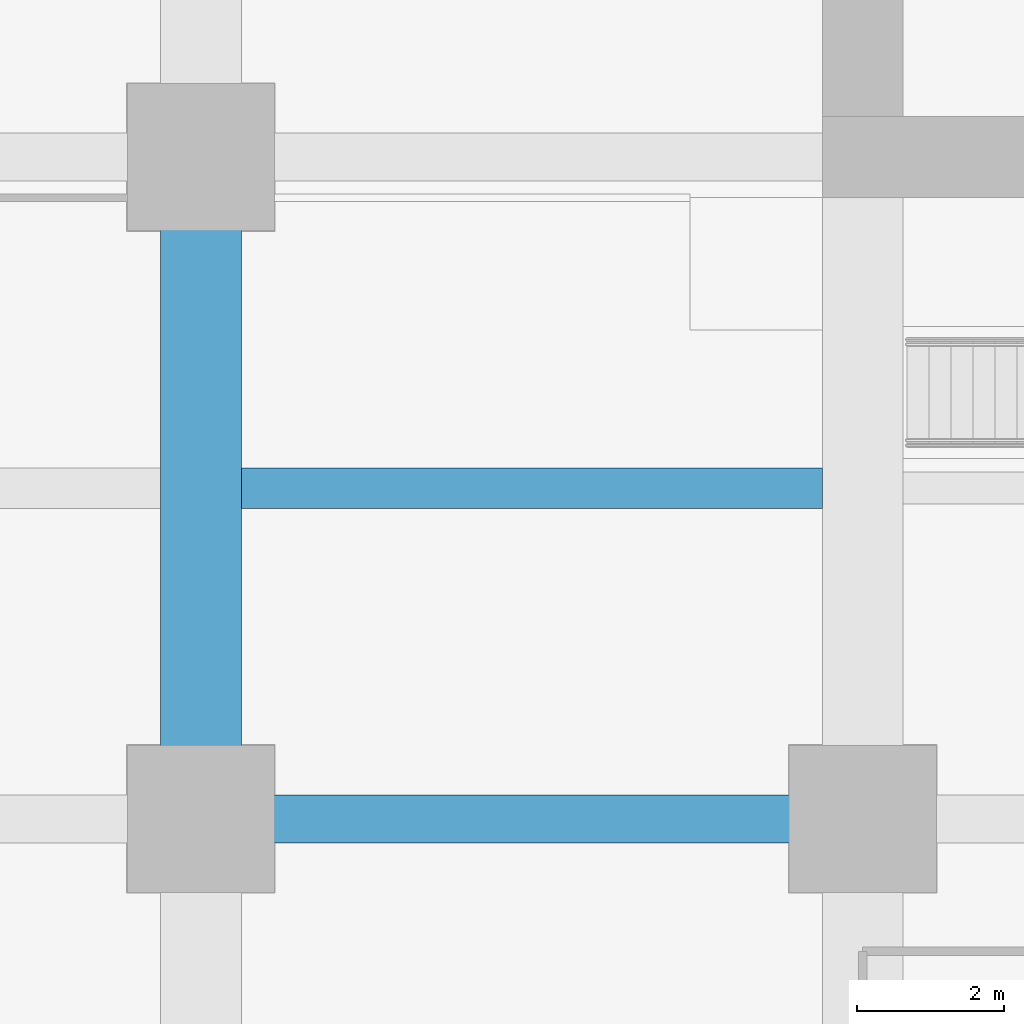
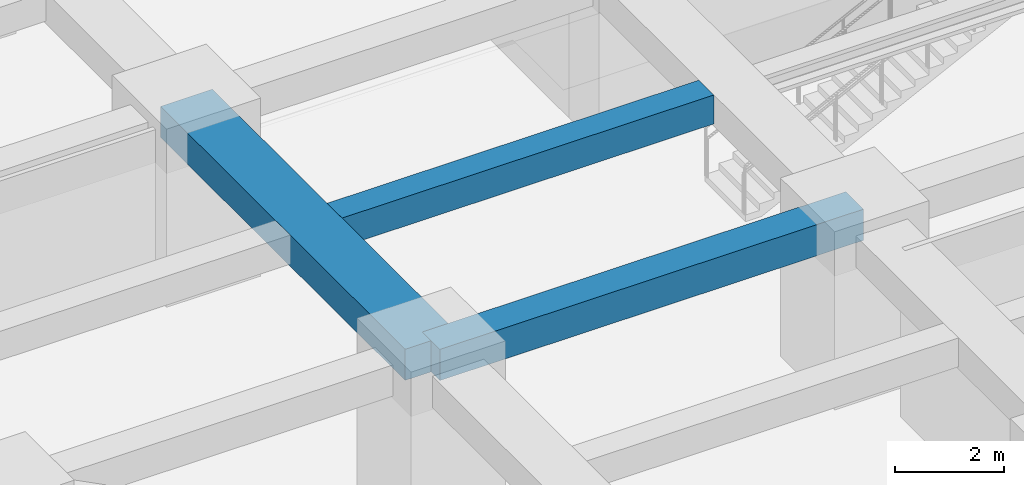
# One storey, part 5 of 39: 3 beams.
"""IFC4 building model written with IfcOpenShell, lengths in metres."""

from ifc_helpers import new_model, si_unit, direction, frame, origin, origin_2d, place, context, subcontext, project, spatial, rectangle, extrude, material, material_profile, profile_set, type_object, element, save


model = new_model("IFC4")

# Units and contexts
model_context = context("Model", 3, precision=1e-05, world=origin(), true_north=direction((0.0, 1.0)))
body_context = subcontext(model_context, "Body", "Model", "MODEL_VIEW")
ifc_project = project(units=[si_unit("LENGTHUNIT", "METRE"), si_unit("AREAUNIT", "SQUARE_METRE"), si_unit("VOLUMEUNIT", "CUBIC_METRE"), si_unit("PLANEANGLEUNIT", "RADIAN"), si_unit("MASSUNIT", "GRAM", prefix="KILO")], contexts=[model_context])

# Site, building, storey
site_placement = place(None, origin())
site = spatial("IfcSite", under=ifc_project, at=site_placement, CompositionType="ELEMENT")
building_placement = place(site_placement, origin())
building = spatial("IfcBuilding", under=site, at=building_placement, Name="Zorevar Civic Tower", CompositionType="ELEMENT")
storey_placement = place(building_placement, frame((0.0, 0.0, 117.0)))
storey = spatial("IfcBuildingStorey", under=building, at=storey_placement, Name="L28", CompositionType="ELEMENT", Elevation=117.0)

# Beams
ifc_material_1 = material(Name="Concrete C50/60", Category="concrete")
ifc_material_profile_1 = material_profile(ifc_material_1, rectangle(XDim=1.10009765625, YDim=0.699951171875, at=origin_2d()), Name="RC 1100x700")
ifc_profile_set_1 = profile_set([ifc_material_profile_1], Name="Concrete C50/60")
beam_type_1 = type_object("IfcBeamType", Name="Beam RC 1100x700", PredefinedType="BEAM", material=ifc_profile_set_1)
beam_1_placement = place(storey_placement, frame((9.0, 9.0, 3.39990234375), z_axis=(0.0, 1.0, 0.0), x_axis=(-1.0, 0.0, 0.0)))
element("IfcBeam", 1, at=beam_1_placement, inside=storey, type_object=beam_type_1, Name="Girder L29", PredefinedType="BEAM", context=body_context, shape_type="SweptSolid", body=[
    extrude(rectangle(XDim=1.10009765625, YDim=0.699951171875, at=origin_2d()), origin(), (0.0, 0.0, 1.0), 9.0),
])
ifc_material_2 = material(Name="Concrete C50/60", Category="concrete")
ifc_material_profile_2 = material_profile(ifc_material_2, rectangle(XDim=0.550048828125, YDim=0.64990234375, at=origin_2d()), Name="RC 550x650")
ifc_profile_set_2 = profile_set([ifc_material_profile_2], Name="Concrete C50/60")
beam_type_2 = type_object("IfcBeamType", Name="Beam RC 550x650", PredefinedType="BEAM", material=ifc_profile_set_2)
beam_2_placement = place(storey_placement, frame((9.550048828125, 13.5, 3.425048828125), z_axis=(1.0, 0.0, 0.0), x_axis=(0.0, 1.0, 0.0)))
element("IfcBeam", 2, at=beam_2_placement, inside=storey, type_object=beam_type_2, Name="Secondary beam L29", PredefinedType="BEAM", context=body_context, shape_type="SweptSolid", body=[
    extrude(rectangle(XDim=0.550048828125, YDim=0.64990234375, at=origin_2d()), origin(), (0.0, 0.0, 1.0), 7.89990234375),
])
ifc_material_3 = material(Name="Concrete C50/60", Category="concrete")
ifc_material_profile_3 = material_profile(ifc_material_3, rectangle(XDim=0.64990234375, YDim=0.699951171875, at=origin_2d()), Name="RC 650x700")
ifc_profile_set_3 = profile_set([ifc_material_profile_3], Name="Concrete C50/60")
beam_type_3 = type_object("IfcBeamType", Name="Beam RC 650x700", PredefinedType="BEAM", material=ifc_profile_set_3)
beam_3_placement = place(storey_placement, frame((9.0, 9.0, 3.39990234375), z_axis=(1.0, 0.0, 0.0), x_axis=(0.0, 1.0, 0.0)))
element("IfcBeam", 3, at=beam_3_placement, inside=storey, type_object=beam_type_3, Name="Girder L29", PredefinedType="BEAM", context=body_context, shape_type="SweptSolid", body=[
    extrude(rectangle(XDim=0.64990234375, YDim=0.699951171875, at=origin_2d()), origin(), (0.0, 0.0, 1.0), 9.0),
])

save(model, "model.ifc")
